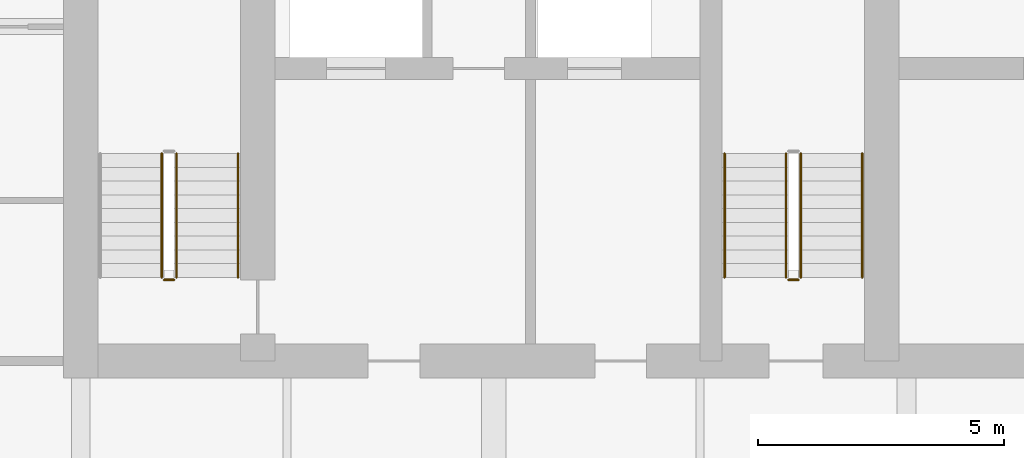
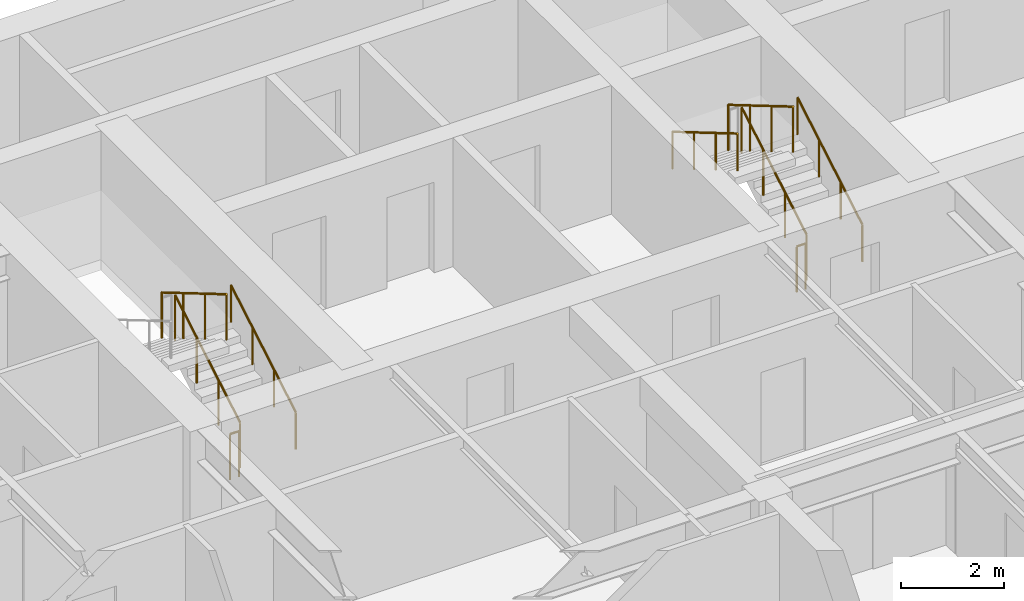
# One storey, part 13 of 16: 9 railings.
"""IFC4 building model written with IfcOpenShell, lengths in metres."""

from ifc_helpers import new_model, si_unit, direction, frame, origin, origin_2d, place, context, subcontext, project, spatial, circle, extrude, material, type_object, element, save


model = new_model("IFC4")

# Units and contexts
model_context = context("Model", 3, precision=1e-05, world=origin(), true_north=direction((0.0, 1.0)))
body_context = subcontext(model_context, "Body", "Model", "MODEL_VIEW")
ifc_project = project(units=[si_unit("LENGTHUNIT", "METRE"), si_unit("AREAUNIT", "SQUARE_METRE"), si_unit("VOLUMEUNIT", "CUBIC_METRE"), si_unit("PLANEANGLEUNIT", "RADIAN"), si_unit("MASSUNIT", "GRAM", prefix="KILO")], contexts=[model_context])

# Site, building, storey
site_placement = place(None, origin())
site = spatial("IfcSite", under=ifc_project, at=site_placement, CompositionType="ELEMENT")
building_placement = place(site_placement, origin())
building = spatial("IfcBuilding", under=site, at=building_placement, Name="Caelmar Bay Residences", CompositionType="ELEMENT")
storey_placement = place(building_placement, frame((0.0, 0.0, 239.699951171875)))
storey = spatial("IfcBuildingStorey", under=building, at=storey_placement, Name="L67", CompositionType="ELEMENT", Elevation=239.699951171875)

# Railings
ifc_material_1 = material(Name="Painted galvanized steel stair guard 1100 mm", Category="steel")
railing_type_1 = type_object("IfcRailingType", Name="RL-GRD-1100", PredefinedType="GUARDRAIL", material=ifc_material_1)
railing_1_placement = place(storey_placement, frame((20.25, 38.699951171875, 0.1650390625)))
element("IfcRailing", 1, at=railing_1_placement, inside=storey, type_object=railing_type_1, Name="L67 ST1 stair guard 1", PredefinedType="GUARDRAIL", context=body_context, shape_type="SweptSolid", body=[
    extrude(circle(Radius=0.02392578125, at=origin_2d()), frame((0.0, 0.0, 1.076171875), z_axis=(0.0, 0.86152411907, 0.507716645641), x_axis=(-1.0, 0.0, 0.0)), (0.0, 0.0, 1.0), 2.925048828125),
    extrude(circle(Radius=0.02099609375, at=origin_2d()), origin(), (0.0, 0.0, 1.0), 1.052001953125),
    extrude(circle(Radius=0.02099609375, at=origin_2d()), frame((0.0, 0.840087890625, 0.4951171875)), (0.0, 0.0, 1.0), 1.052001953125),
    extrude(circle(Radius=0.02099609375, at=origin_2d()), frame((0.0, 1.679931640625, 0.989990234375)), (0.0, 0.0, 1.0), 1.052001953125),
    extrude(circle(Radius=0.02099609375, at=origin_2d()), frame((0.0, 2.52001953125, 1.485107421875)), (0.0, 0.0, 1.0), 1.052001953125),
])
railing_2_placement = place(storey_placement, frame((19.949951171875, 41.219970703125, 1.81494140625)))
element("IfcRailing", 2, at=railing_2_placement, inside=storey, type_object=railing_type_1, Name="L67 ST1 stair guard 3", PredefinedType="GUARDRAIL", context=body_context, shape_type="SweptSolid", body=[
    extrude(circle(Radius=0.02392578125, at=origin_2d()), frame((0.0, 0.0, 1.076171875), z_axis=(0.0, -0.86152411907, 0.507716645641), x_axis=(1.0, 0.0, 0.0)), (0.0, 0.0, 1.0), 2.925048828125),
    extrude(circle(Radius=0.02099609375, at=origin_2d()), origin(), (0.0, 0.0, 1.0), 1.052001953125),
    extrude(circle(Radius=0.02099609375, at=origin_2d()), frame((0.0, -0.840087890625, 0.4951171875)), (0.0, 0.0, 1.0), 1.052001953125),
    extrude(circle(Radius=0.02099609375, at=origin_2d()), frame((0.0, -1.679931640625, 0.989990234375)), (0.0, 0.0, 1.0), 1.052001953125),
    extrude(circle(Radius=0.02099609375, at=origin_2d()), frame((0.0, -2.52001953125, 1.485107421875)), (0.0, 0.0, 1.0), 1.052001953125),
])
railing_3_placement = place(storey_placement, frame((20.199951171875, 38.64990234375, 0.0)))
element("IfcRailing", 3, at=railing_3_placement, inside=storey, type_object=railing_type_1, Name="L67 ST1 stair guard 4", PredefinedType="GUARDRAIL", context=body_context, shape_type="SweptSolid", body=[
    extrude(circle(Radius=0.02392578125, at=origin_2d()), frame((0.0, 0.0, 1.076171875), z_axis=(-1.0, 0.0, 0.0), x_axis=(0.0, -1.0, 0.0)), (0.0, 0.0, 1.0), 0.199951171875),
    extrude(circle(Radius=0.02099609375, at=origin_2d()), origin(), (0.0, 0.0, 1.0), 1.052001953125),
    extrude(circle(Radius=0.02099609375, at=origin_2d()), frame((-0.199951171875, 0.0, 0.0)), (0.0, 0.0, 1.0), 1.052001953125),
])
railing_4_placement = place(storey_placement, frame((32.949951171875, 38.699951171875, 0.1650390625)))
element("IfcRailing", 4, at=railing_4_placement, inside=storey, type_object=railing_type_1, Name="L67 ST3 stair guard 1", PredefinedType="GUARDRAIL", context=body_context, shape_type="SweptSolid", body=[
    extrude(circle(Radius=0.02392578125, at=origin_2d()), frame((0.0, 0.0, 1.076171875), z_axis=(0.0, 0.86152411907, 0.507716645641), x_axis=(-1.0, 0.0, 0.0)), (0.0, 0.0, 1.0), 2.925048828125),
    extrude(circle(Radius=0.02099609375, at=origin_2d()), origin(), (0.0, 0.0, 1.0), 1.052001953125),
    extrude(circle(Radius=0.02099609375, at=origin_2d()), frame((0.0, 0.840087890625, 0.4951171875)), (0.0, 0.0, 1.0), 1.052001953125),
    extrude(circle(Radius=0.02099609375, at=origin_2d()), frame((0.0, 1.679931640625, 0.989990234375)), (0.0, 0.0, 1.0), 1.052001953125),
    extrude(circle(Radius=0.02099609375, at=origin_2d()), frame((0.0, 2.52001953125, 1.485107421875)), (0.0, 0.0, 1.0), 1.052001953125),
])
railing_5_placement = place(storey_placement, frame((32.64990234375, 41.219970703125, 1.81494140625)))
element("IfcRailing", 5, at=railing_5_placement, inside=storey, type_object=railing_type_1, Name="L67 ST3 stair guard 3", PredefinedType="GUARDRAIL", context=body_context, shape_type="SweptSolid", body=[
    extrude(circle(Radius=0.02392578125, at=origin_2d()), frame((0.0, 0.0, 1.076171875), z_axis=(0.0, -0.86152411907, 0.507716645641), x_axis=(1.0, 0.0, 0.0)), (0.0, 0.0, 1.0), 2.925048828125),
    extrude(circle(Radius=0.02099609375, at=origin_2d()), origin(), (0.0, 0.0, 1.0), 1.052001953125),
    extrude(circle(Radius=0.02099609375, at=origin_2d()), frame((0.0, -0.840087890625, 0.4951171875)), (0.0, 0.0, 1.0), 1.052001953125),
    extrude(circle(Radius=0.02099609375, at=origin_2d()), frame((0.0, -1.679931640625, 0.989990234375)), (0.0, 0.0, 1.0), 1.052001953125),
    extrude(circle(Radius=0.02099609375, at=origin_2d()), frame((0.0, -2.52001953125, 1.485107421875)), (0.0, 0.0, 1.0), 1.052001953125),
])
railing_6_placement = place(storey_placement, frame((32.89990234375, 38.64990234375, 0.0)))
element("IfcRailing", 6, at=railing_6_placement, inside=storey, type_object=railing_type_1, Name="L67 ST3 stair guard 4", PredefinedType="GUARDRAIL", context=body_context, shape_type="SweptSolid", body=[
    extrude(circle(Radius=0.02392578125, at=origin_2d()), frame((0.0, 0.0, 1.076171875), z_axis=(-1.0, 0.0, 0.0), x_axis=(0.0, -1.0, 0.0)), (0.0, 0.0, 1.0), 0.199951171875),
    extrude(circle(Radius=0.02099609375, at=origin_2d()), origin(), (0.0, 0.0, 1.0), 1.052001953125),
    extrude(circle(Radius=0.02099609375, at=origin_2d()), frame((-0.199951171875, 0.0, 0.0)), (0.0, 0.0, 1.0), 1.052001953125),
])
ifc_material_2 = material(Name="Brushed bronze stainless-steel tubular handrail 900 mm", Category="steel")
railing_type_2 = type_object("IfcRailingType", Name="RL-HND-900", PredefinedType="HANDRAIL", material=ifc_material_2)
for number, where, name in (
    (7, (21.5, 38.699951171875, 0.1650390625), "L67 ST1 stair handrail 1"),
    (8, (34.199951171875, 38.699951171875, 0.1650390625), "L67 ST3 stair handrail 1"),
):
    element("IfcRailing", number, at=place(storey_placement, frame(where)), inside=storey, type_object=railing_type_2, Name=name, PredefinedType="HANDRAIL", context=body_context, shape_type="SweptSolid", body=[
        extrude(circle(Radius=0.02392578125, at=origin_2d()), frame((0.0, 0.0, 0.8759765625), z_axis=(0.0, 0.86152411907, 0.507716645641), x_axis=(-1.0, 0.0, 0.0)), (0.0, 0.0, 1.0), 2.925048828125),
        extrude(circle(Radius=0.02099609375, at=origin_2d()), origin(), (0.0, 0.0, 1.0), 0.851806640625),
        extrude(circle(Radius=0.02099609375, at=origin_2d()), frame((0.0, 0.840087890625, 0.4951171875)), (0.0, 0.0, 1.0), 0.851806640625),
        extrude(circle(Radius=0.02099609375, at=origin_2d()), frame((0.0, 1.679931640625, 0.989990234375)), (0.0, 0.0, 1.0), 0.851806640625),
        extrude(circle(Radius=0.02099609375, at=origin_2d()), frame((0.0, 2.52001953125, 1.485107421875)), (0.0, 0.0, 1.0), 0.851806640625),
    ])
railing_7_placement = place(storey_placement, frame((31.39990234375, 41.219970703125, 1.81494140625)))
element("IfcRailing", 9, at=railing_7_placement, inside=storey, type_object=railing_type_2, Name="L67 ST3 stair handrail 2", PredefinedType="HANDRAIL", context=body_context, shape_type="SweptSolid", body=[
    extrude(circle(Radius=0.02392578125, at=origin_2d()), frame((0.0, 0.0, 0.8759765625), z_axis=(0.0, -0.86152411907, 0.507716645641), x_axis=(1.0, 0.0, 0.0)), (0.0, 0.0, 1.0), 2.925048828125),
    extrude(circle(Radius=0.02099609375, at=origin_2d()), origin(), (0.0, 0.0, 1.0), 0.851806640625),
    extrude(circle(Radius=0.02099609375, at=origin_2d()), frame((0.0, -0.840087890625, 0.4951171875)), (0.0, 0.0, 1.0), 0.851806640625),
    extrude(circle(Radius=0.02099609375, at=origin_2d()), frame((0.0, -1.679931640625, 0.989990234375)), (0.0, 0.0, 1.0), 0.851806640625),
    extrude(circle(Radius=0.02099609375, at=origin_2d()), frame((0.0, -2.52001953125, 1.485107421875)), (0.0, 0.0, 1.0), 0.851806640625),
])

save(model, "model.ifc")
